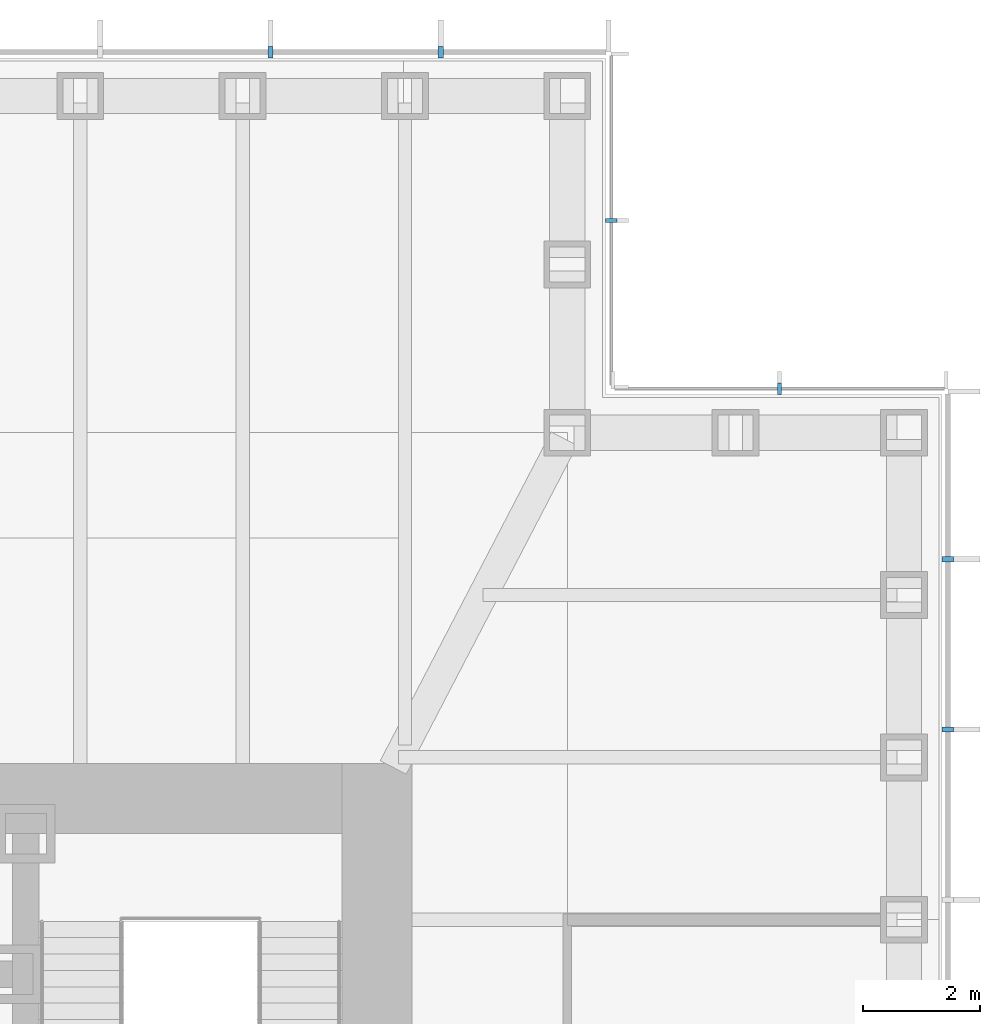
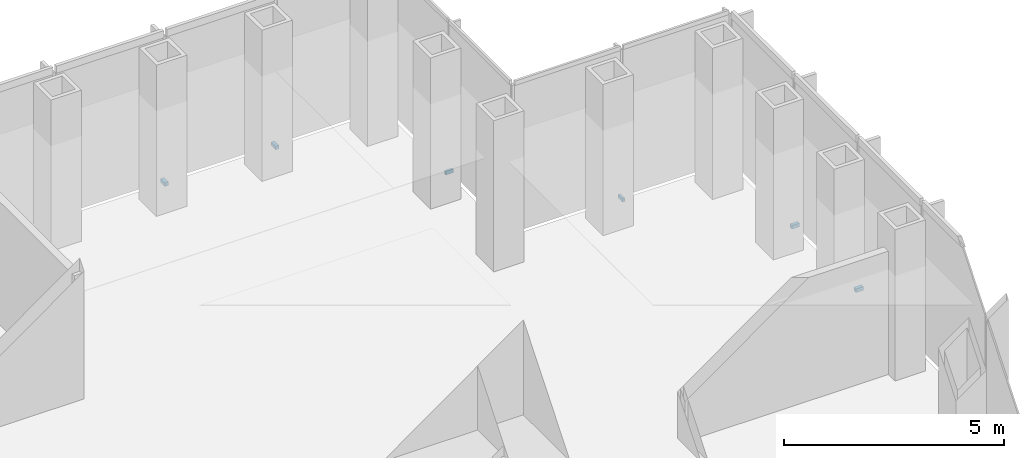
# One storey, part 15 of 16: 6 discrete accessories.
"""IFC4 building model written with IfcOpenShell, lengths in metres."""

from ifc_helpers import new_model, si_unit, direction, frame, origin, origin_2d, place, context, subcontext, project, spatial, rectangle, extrude, element, save


model = new_model("IFC4")

# Units and contexts
model_context = context("Model", 3, precision=1e-05, world=origin(), true_north=direction((0.0, 1.0)))
body_context = subcontext(model_context, "Body", "Model", "MODEL_VIEW")
ifc_project = project(units=[si_unit("LENGTHUNIT", "METRE"), si_unit("AREAUNIT", "SQUARE_METRE"), si_unit("VOLUMEUNIT", "CUBIC_METRE"), si_unit("PLANEANGLEUNIT", "RADIAN"), si_unit("MASSUNIT", "GRAM", prefix="KILO")], contexts=[model_context])

# Site, building, storey
site_placement = place(None, origin())
site = spatial("IfcSite", under=ifc_project, at=site_placement, CompositionType="ELEMENT")
building_placement = place(site_placement, origin())
building = spatial("IfcBuilding", under=site, at=building_placement, Name="Daluyong Arena Tower", CompositionType="ELEMENT")
storey_placement = place(building_placement, frame((0.0, 0.0, 267.10009765625)))
storey = spatial("IfcBuildingStorey", under=building, at=storey_placement, Name="L60", CompositionType="ELEMENT", Elevation=267.10009765625)

# Discrete accessories
for number, where, z_axis, x_axis, name in (
    (1, (77.75, 90.181884765625, -0.10009765625), (0.0, 0.0, 1.0), (0.0, 1.0, 0.0), "curtain wall L60 E anchor bracket 10"),
    (2, (77.75, 93.0908203125, -0.10009765625), (0.0, 0.0, 1.0), (0.0, 1.0, 0.0), "curtain wall L60 E anchor bracket 11"),
):
    element("IfcDiscreteAccessory", number, at=place(storey_placement, frame(where, z_axis=z_axis, x_axis=x_axis)), inside=storey, Name=name, PredefinedType="BRACKET", context=body_context, shape_type="SweptSolid", body=[
        extrude(rectangle(XDim=0.090087890625, YDim=0.199951171875, at=origin_2d()), origin(), (0.0, 0.0, 1.0), 0.10009765625),
    ])
for number, where, z_axis, x_axis, name in (
    (3, (74.875, 96.0, -0.10009765625), (0.0, 0.0, 1.0), (-1.0, 0.0, 0.0), "curtain wall L60 NE-N anchor bracket 2"),
    (4, (72.0, 98.875, -0.10009765625), (0.0, 0.0, 1.0), (0.0, 1.0, 0.0), "curtain wall L60 NE-E anchor bracket 2"),
):
    element("IfcDiscreteAccessory", number, at=place(storey_placement, frame(where, z_axis=z_axis, x_axis=x_axis)), inside=storey, Name=name, PredefinedType="BRACKET", context=body_context, shape_type="SweptSolid", body=[
        extrude(rectangle(XDim=0.06005859375, YDim=0.199951171875, at=origin_2d()), origin(), (0.0, 0.0, 1.0), 0.10009765625),
    ])
for number, where, z_axis, x_axis, name in (
    (5, (69.0908203125, 101.75, -0.10009765625), (0.0, 0.0, 1.0), (-1.0, 0.0, 0.0), "curtain wall L60 N anchor bracket 2"),
    (6, (66.181884765625, 101.75, -0.10009765625), (0.0, 0.0, 1.0), (-1.0, 0.0, 0.0), "curtain wall L60 N anchor bracket 3"),
):
    element("IfcDiscreteAccessory", number, at=place(storey_placement, frame(where, z_axis=z_axis, x_axis=x_axis)), inside=storey, Name=name, PredefinedType="BRACKET", context=body_context, shape_type="SweptSolid", body=[
        extrude(rectangle(XDim=0.090087890625, YDim=0.199951171875, at=origin_2d()), origin(), (0.0, 0.0, 1.0), 0.10009765625),
    ])

save(model, "model.ifc")
